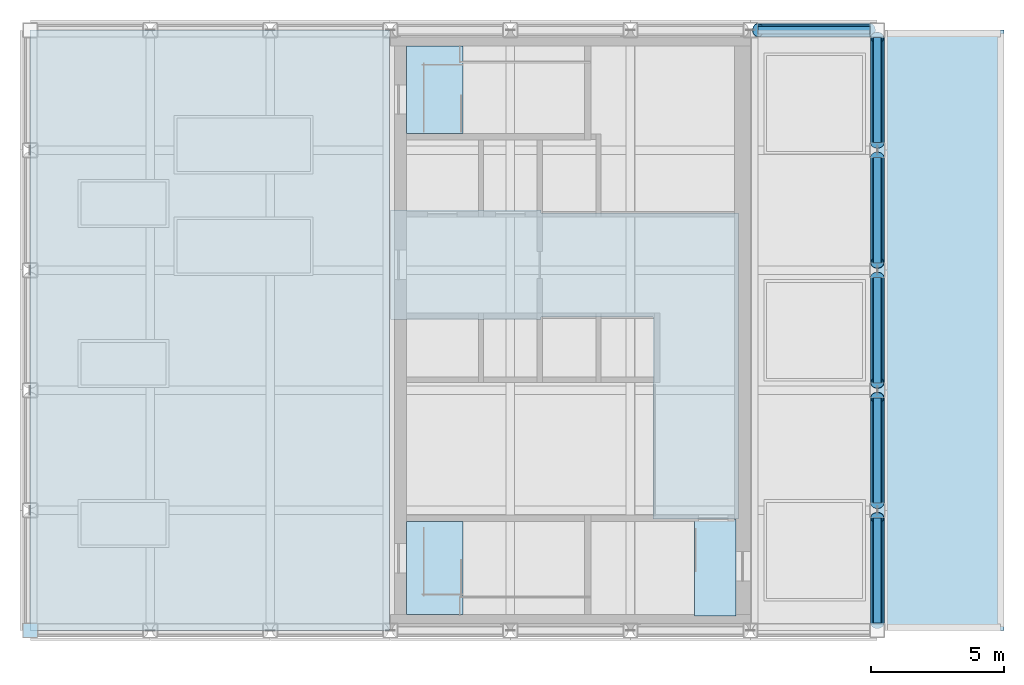
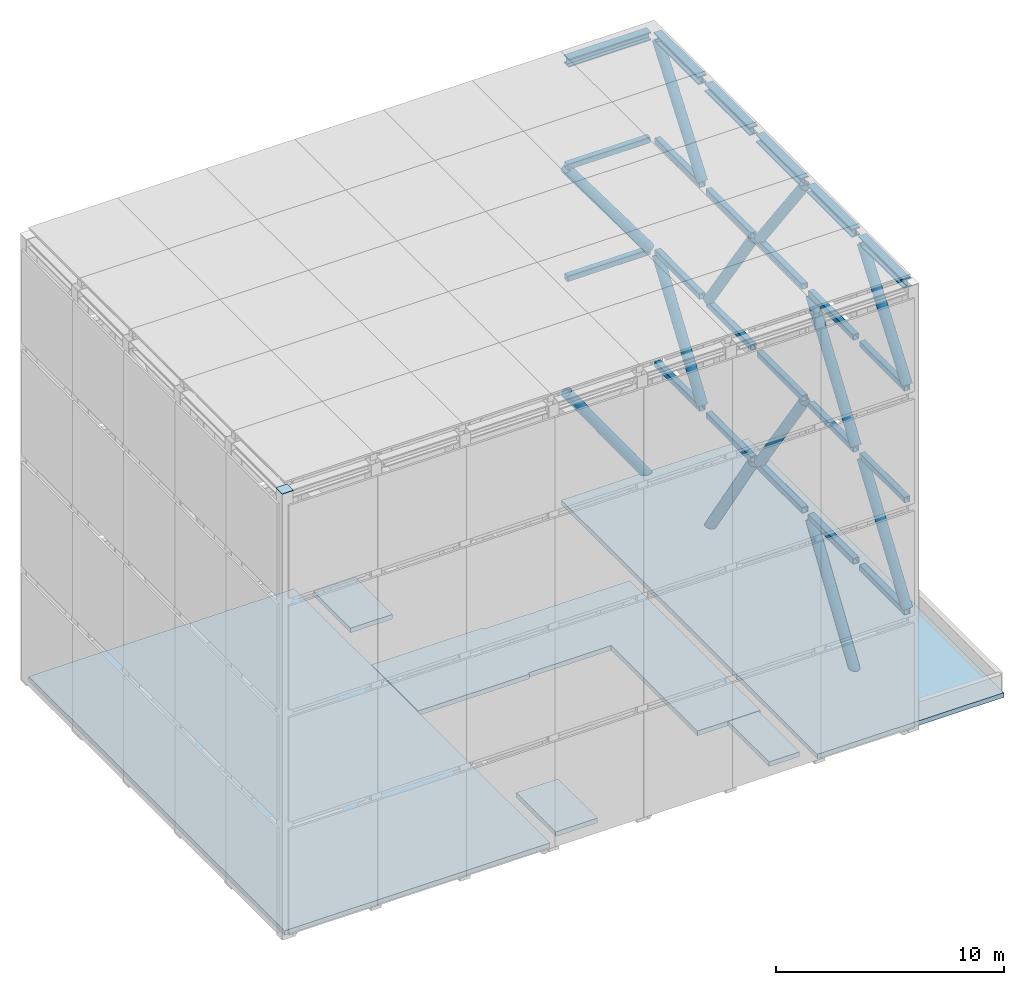
# One storey, part 2 of 11: 29 members, 6 beams, 6 slabs, 1 plate.
"""IFC4 building model written with IfcOpenShell, lengths in metres."""

from ifc_helpers import new_model, si_unit, direction, frame, origin, origin_2d, place, context, subcontext, project, spatial, polyline, rectangle, hollow_rectangle, hollow_circle, i_section, outline, extrude, material, layer, layer_set, material_profile, profile_set, type_object, element, save


model = new_model("IFC4")

# Units and contexts
model_context = context("Model", 3, precision=1e-05, world=origin(), true_north=direction((0.0, 1.0)))
body_context = subcontext(model_context, "Body", "Model", "MODEL_VIEW")
ifc_project = project(units=[si_unit("LENGTHUNIT", "METRE"), si_unit("AREAUNIT", "SQUARE_METRE"), si_unit("VOLUMEUNIT", "CUBIC_METRE"), si_unit("PLANEANGLEUNIT", "RADIAN"), si_unit("MASSUNIT", "GRAM", prefix="KILO")], contexts=[model_context])

# Site, building, storey
site_placement = place(None, origin())
site = spatial("IfcSite", under=ifc_project, at=site_placement, CompositionType="ELEMENT")
building_placement = place(site_placement, origin())
building = spatial("IfcBuilding", under=site, at=building_placement, Name="Sennacour Bend Tower", CompositionType="ELEMENT")
storey_placement = place(building_placement, frame((0.0, 0.0, 355.5)))
storey = spatial("IfcBuildingStorey", under=building, at=storey_placement, Name="RF", CompositionType="ELEMENT", Elevation=355.5)

# Members
ifc_material_1 = material(Name="Steel ASTM A500 Grade C", Category="steel")
ifc_material_profile_1 = material_profile(ifc_material_1, hollow_circle(Radius=0.25390625, WallThickness=0.0126953125, at=origin_2d()), Name="Steel ASTM A500 Grade C", Category="steel")
ifc_profile_set_1 = profile_set([ifc_material_profile_1], Name="Steel ASTM A500 Grade C")
member_type_1 = type_object("IfcMemberType", Name="CROWN FRAME brace 508", PredefinedType="BRACE", material=ifc_profile_set_1)
member_1_placement = place(storey_placement, frame((72.25, 0.279296875, 6.0), z_axis=(0.0, 0.569063333042, 0.822293696308), x_axis=(-1.0, 0.0, 0.0)))
element("IfcMember", 1, at=member_1_placement, inside=storey, type_object=member_type_1, Name="CROWN FRAME brace CB-015", PredefinedType="BRACE", context=body_context, shape_type="SweptSolid", body=[
    extrude(hollow_circle(Radius=0.25390625, WallThickness=0.0126953125, at=origin_2d()), origin(), (0.0, 0.0, 1.0), 6.926025390625),
])
member_2_placement = place(storey_placement, frame((72.25, 0.279296875, 18.0), z_axis=(0.0, 0.600952521831, 0.799284721801), x_axis=(-1.0, 0.0, 0.0)))
element("IfcMember", 2, at=member_2_placement, inside=storey, type_object=member_type_1, Name="CROWN FRAME brace CB-016", PredefinedType="BRACE", context=body_context, shape_type="SweptSolid", body=[
    extrude(hollow_circle(Radius=0.25390625, WallThickness=0.0126953125, at=origin_2d()), origin(), (0.0, 0.0, 1.0), 6.55859375),
])
member_3_placement = place(storey_placement, frame((72.25, 4.779296875, -0.25), z_axis=(0.0, 0.552549986341, 0.833479761359), x_axis=(-1.0, 0.0, 0.0)))
element("IfcMember", 3, at=member_3_placement, inside=storey, type_object=member_type_1, Name="CROWN FRAME brace CB-017", PredefinedType="BRACE", context=body_context, shape_type="SweptSolid", body=[
    extrude(hollow_circle(Radius=0.25390625, WallThickness=0.0126953125, at=origin_2d()), origin(), (0.0, 0.0, 1.0), 7.133056640625),
])
for number, where, z_axis, x_axis, name in (
    (4, (72.25, 4.779296875, 12.0), (0.0, 0.569063333042, 0.822293696308), (-1.0, 0.0, 0.0), "CROWN FRAME brace CB-018"),
    (5, (72.25, 9.279296875, 11.6953125), (0.0, 0.569063333042, -0.822293696308), (-1.0, 0.0, 0.0), "CROWN FRAME brace CB-019"),
):
    element("IfcMember", number, at=place(storey_placement, frame(where, z_axis=z_axis, x_axis=x_axis)), inside=storey, type_object=member_type_1, Name=name, PredefinedType="BRACE", context=body_context, shape_type="SweptSolid", body=[
        extrude(hollow_circle(Radius=0.25390625, WallThickness=0.0126953125, at=origin_2d()), origin(), (0.0, 0.0, 1.0), 6.926025390625),
    ])
member_4_placement = place(storey_placement, frame((72.25, 9.279296875, 23.2421875), z_axis=(0.0, 0.600952521831, -0.799284721801), x_axis=(-1.0, 0.0, 0.0)))
element("IfcMember", 6, at=member_4_placement, inside=storey, type_object=member_type_1, Name="CROWN FRAME brace CB-020", PredefinedType="BRACE", context=body_context, shape_type="SweptSolid", body=[
    extrude(hollow_circle(Radius=0.25390625, WallThickness=0.0126953125, at=origin_2d()), origin(), (0.0, 0.0, 1.0), 6.55859375),
])
member_5_placement = place(storey_placement, frame((72.25, 13.779296875, 5.6953125), z_axis=(0.0, 0.552549986341, -0.833479761359), x_axis=(-1.0, 0.0, 0.0)))
element("IfcMember", 7, at=member_5_placement, inside=storey, type_object=member_type_1, Name="CROWN FRAME brace CB-021", PredefinedType="BRACE", context=body_context, shape_type="SweptSolid", body=[
    extrude(hollow_circle(Radius=0.25390625, WallThickness=0.0126953125, at=origin_2d()), origin(), (0.0, 0.0, 1.0), 7.133056640625),
])
for number, where, z_axis, x_axis, name in (
    (8, (72.25, 13.779296875, 17.6953125), (0.0, 0.569063333042, -0.822293696308), (-1.0, 0.0, 0.0), "CROWN FRAME brace CB-022"),
    (9, (72.25, 18.279296875, 6.0), (0.0, 0.569063333042, 0.822293696308), (-1.0, 0.0, 0.0), "CROWN FRAME brace CB-023"),
):
    element("IfcMember", number, at=place(storey_placement, frame(where, z_axis=z_axis, x_axis=x_axis)), inside=storey, type_object=member_type_1, Name=name, PredefinedType="BRACE", context=body_context, shape_type="SweptSolid", body=[
        extrude(hollow_circle(Radius=0.25390625, WallThickness=0.0126953125, at=origin_2d()), origin(), (0.0, 0.0, 1.0), 6.926025390625),
    ])
member_6_placement = place(storey_placement, frame((72.25, 18.279296875, 18.0), z_axis=(0.0, 0.600952521831, 0.799284721801), x_axis=(-1.0, 0.0, 0.0)))
element("IfcMember", 10, at=member_6_placement, inside=storey, type_object=member_type_1, Name="CROWN FRAME brace CB-024", PredefinedType="BRACE", context=body_context, shape_type="SweptSolid", body=[
    extrude(hollow_circle(Radius=0.25390625, WallThickness=0.0126953125, at=origin_2d()), origin(), (0.0, 0.0, 1.0), 6.55859375),
])
member_7_placement = place(storey_placement, frame((71.970703125, 22.5, -0.25), z_axis=(-0.576198186144, 0.0, 0.817310008678), x_axis=(0.0, -1.0, 0.0)))
element("IfcMember", 11, at=member_7_placement, inside=storey, type_object=member_type_1, Name="CROWN FRAME brace CB-025", PredefinedType="BRACE", context=body_context, shape_type="SweptSolid", body=[
    extrude(hollow_circle(Radius=0.25390625, WallThickness=0.0126953125, at=origin_2d()), origin(), (0.0, 0.0, 1.0), 7.274169921875),
])
member_8_placement = place(storey_placement, frame((71.970703125, 22.5, 12.0), z_axis=(-0.592727857183, 0.0, 0.805402810598), x_axis=(0.0, -1.0, 0.0)))
element("IfcMember", 12, at=member_8_placement, inside=storey, type_object=member_type_1, Name="CROWN FRAME brace CB-026", PredefinedType="BRACE", context=body_context, shape_type="SweptSolid", body=[
    extrude(hollow_circle(Radius=0.25390625, WallThickness=0.0126953125, at=origin_2d()), origin(), (0.0, 0.0, 1.0), 7.0712890625),
])

# Beams
ifc_material_2 = material(Name="Steel ASTM A992 Grade 50", Category="steel")
ifc_material_profile_2 = material_profile(ifc_material_2, i_section(OverallWidth=0.410888671875, OverallDepth=0.43408203125, WebThickness=0.035888671875, FlangeThickness=0.057373046875, FilletRadius=0.01513671875, at=origin_2d()), Name="Steel ASTM A992 Grade 50", Category="steel")
ifc_profile_set_2 = profile_set([ifc_material_profile_2], Name="Steel ASTM A992 Grade 50")
beam_type = type_object("IfcBeamType", Name="CROWN FRAME ring beam W360X463", PredefinedType="BEAM", material=ifc_profile_set_2)
for number, where, z_axis, x_axis, name in (
    (13, (72.25, 0.279296875, 23.458984375), (0.0, 1.0, 0.0), (-1.0, 0.0, 0.0), "CROWN FRAME ring beam CR-008"),
    (14, (72.25, 4.779296875, 23.458984375), (0.0, 1.0, 0.0), (-1.0, 0.0, 0.0), "CROWN FRAME ring beam CR-009"),
    (15, (72.25, 9.279296875, 23.458984375), (0.0, 1.0, 0.0), (-1.0, 0.0, 0.0), "CROWN FRAME ring beam CR-010"),
    (16, (72.25, 13.779296875, 23.458984375), (0.0, 1.0, 0.0), (-1.0, 0.0, 0.0), "CROWN FRAME ring beam CR-011"),
    (17, (72.25, 18.279296875, 23.458984375), (0.0, 1.0, 0.0), (-1.0, 0.0, 0.0), "CROWN FRAME ring beam CR-012"),
):
    element("IfcBeam", number, at=place(storey_placement, frame(where, z_axis=z_axis, x_axis=x_axis)), inside=storey, type_object=beam_type, Name=name, PredefinedType="BEAM", context=body_context, shape_type="SweptSolid", body=[
        extrude(i_section(OverallWidth=0.410888671875, OverallDepth=0.43408203125, WebThickness=0.035888671875, FlangeThickness=0.057373046875, FilletRadius=0.01513671875, at=origin_2d()), origin(), (0.0, 0.0, 1.0), 3.94140625),
    ])
beam_placement = place(storey_placement, frame((71.970703125, 22.5, 23.458984375), z_axis=(-1.0, 0.0, 0.0), x_axis=(0.0, -1.0, 0.0)))
element("IfcBeam", 18, at=beam_placement, inside=storey, type_object=beam_type, Name="CROWN FRAME ring beam CR-013", PredefinedType="BEAM", context=body_context, shape_type="SweptSolid", body=[
    extrude(i_section(OverallWidth=0.410888671875, OverallDepth=0.43408203125, WebThickness=0.035888671875, FlangeThickness=0.057373046875, FilletRadius=0.01513671875, at=origin_2d()), origin(), (0.0, 0.0, 1.0), 4.19140625),
])

# Members
ifc_material_profile_3 = material_profile(ifc_material_1, hollow_rectangle(XDim=0.3046875, YDim=0.3046875, WallThickness=0.0126953125, InnerFilletRadius=0.0126953125, OuterFilletRadius=0.025390625, at=origin_2d()), Name="Steel ASTM A500 Grade C", Category="steel")
ifc_profile_set_3 = profile_set([ifc_material_profile_3], Name="Steel ASTM A500 Grade C")
member_type_2 = type_object("IfcMemberType", Name="CROWN FRAME tier ring 305", PredefinedType="MEMBER", material=ifc_profile_set_3)
for number, where, z_axis, x_axis, name in (
    (19, (72.25, 0.279296875, 5.84765625), (0.0, 1.0, 0.0), (-1.0, 0.0, 0.0), "CROWN FRAME tier ring CT-022"),
    (20, (72.25, 0.279296875, 11.84765625), (0.0, 1.0, 0.0), (-1.0, 0.0, 0.0), "CROWN FRAME tier ring CT-023"),
    (21, (72.25, 0.279296875, 17.84765625), (0.0, 1.0, 0.0), (-1.0, 0.0, 0.0), "CROWN FRAME tier ring CT-024"),
    (22, (72.25, 4.779296875, 5.84765625), (0.0, 1.0, 0.0), (-1.0, 0.0, 0.0), "CROWN FRAME tier ring CT-025"),
    (23, (72.25, 4.779296875, 11.84765625), (0.0, 1.0, 0.0), (-1.0, 0.0, 0.0), "CROWN FRAME tier ring CT-026"),
    (24, (72.25, 4.779296875, 17.84765625), (0.0, 1.0, 0.0), (-1.0, 0.0, 0.0), "CROWN FRAME tier ring CT-027"),
    (25, (72.25, 9.279296875, 5.84765625), (0.0, 1.0, 0.0), (-1.0, 0.0, 0.0), "CROWN FRAME tier ring CT-028"),
    (26, (72.25, 9.279296875, 11.84765625), (0.0, 1.0, 0.0), (-1.0, 0.0, 0.0), "CROWN FRAME tier ring CT-029"),
    (27, (72.25, 9.279296875, 17.84765625), (0.0, 1.0, 0.0), (-1.0, 0.0, 0.0), "CROWN FRAME tier ring CT-030"),
    (28, (72.25, 13.779296875, 5.84765625), (0.0, 1.0, 0.0), (-1.0, 0.0, 0.0), "CROWN FRAME tier ring CT-031"),
    (29, (72.25, 13.779296875, 11.84765625), (0.0, 1.0, 0.0), (-1.0, 0.0, 0.0), "CROWN FRAME tier ring CT-032"),
    (30, (72.25, 13.779296875, 17.84765625), (0.0, 1.0, 0.0), (-1.0, 0.0, 0.0), "CROWN FRAME tier ring CT-033"),
    (31, (72.25, 18.279296875, 5.84765625), (0.0, 1.0, 0.0), (-1.0, 0.0, 0.0), "CROWN FRAME tier ring CT-034"),
    (32, (72.25, 18.279296875, 11.84765625), (0.0, 1.0, 0.0), (-1.0, 0.0, 0.0), "CROWN FRAME tier ring CT-035"),
    (33, (72.25, 18.279296875, 17.84765625), (0.0, 1.0, 0.0), (-1.0, 0.0, 0.0), "CROWN FRAME tier ring CT-036"),
):
    element("IfcMember", number, at=place(storey_placement, frame(where, z_axis=z_axis, x_axis=x_axis)), inside=storey, type_object=member_type_2, Name=name, PredefinedType="MEMBER", context=body_context, shape_type="SweptSolid", body=[
        extrude(hollow_rectangle(XDim=0.3046875, YDim=0.3046875, WallThickness=0.0126953125, InnerFilletRadius=0.0126953125, OuterFilletRadius=0.025390625, at=origin_2d()), origin(), (0.0, 0.0, 1.0), 3.94140625),
    ])
for number, where, z_axis, x_axis, name in (
    (34, (71.970703125, 22.5, 11.84765625), (-1.0, 0.0, 0.0), (0.0, -1.0, 0.0), "CROWN FRAME tier ring CT-038"),
    (35, (71.970703125, 22.5, 17.84765625), (-1.0, 0.0, 0.0), (0.0, -1.0, 0.0), "CROWN FRAME tier ring CT-039"),
):
    element("IfcMember", number, at=place(storey_placement, frame(where, z_axis=z_axis, x_axis=x_axis)), inside=storey, type_object=member_type_2, Name=name, PredefinedType="MEMBER", context=body_context, shape_type="SweptSolid", body=[
        extrude(hollow_rectangle(XDim=0.3046875, YDim=0.3046875, WallThickness=0.0126953125, InnerFilletRadius=0.0126953125, OuterFilletRadius=0.025390625, at=origin_2d()), origin(), (0.0, 0.0, 1.0), 4.19140625),
    ])

# Plate
ifc_material_3 = material(Name="Steel ASTM A572 Grade 50", Category="steel")
ifc_layer_1 = layer(ifc_material_3, 0.02490234375, Name="Steel ASTM A572 Grade 50", Category="steel")
ifc_layer_set_1 = layer_set([ifc_layer_1], Name="Steel ASTM A572 Grade 50")
plate_type = type_object("IfcPlateType", Name="Crown post cap plate 25", PredefinedType="USERDEFINED", material=ifc_layer_set_1)
plate_placement = place(storey_placement, frame((40.5, 0.0, 23.67626953125), z_axis=(0.0, 0.0, 1.0), x_axis=(1.0, 0.0, 0.0)))
element("IfcPlate", 36, at=plate_placement, inside=storey, type_object=plate_type, Name="CROWN FRAME post cap plate CPC-001", ObjectType="END PLATE", PredefinedType="USERDEFINED", context=body_context, shape_type="SweptSolid", body=[
    extrude(rectangle(XDim=0.558837890625, YDim=0.558837890625, at=origin_2d()), origin(), (0.0, 0.0, 1.0), 0.02490234375),
])

# Slabs
ifc_material_4 = material(Name="Concrete C40/50", Category="concrete")
ifc_layer_2 = layer(ifc_material_4, 0.25, Name="Concrete C40/50", Category="concrete")
ifc_layer_set_2 = layer_set([ifc_layer_2], Name="Concrete C40/50")
slab_type_1 = type_object("IfcSlabType", Name="Head-house floor slab 250", PredefinedType="FLOOR", material=ifc_layer_set_2)
slab_1_placement = place(storey_placement, frame((0.0, 0.0, -0.25)))
element("IfcSlab", 37, at=slab_1_placement, inside=storey, type_object=slab_type_1, Name="P-SA1-RF-FLOOR", PredefinedType="FLOOR", context=body_context, shape_type="SweptSolid", body=[
    extrude(outline(polyline([(54.60009765625, 0.60009765625), (56.72998046875, 0.60009765625), (56.72998046875, 4.074951171875), (54.60009765625, 4.074951171875), (54.60009765625, 0.60009765625)])), origin(), (0.0, 0.0, 1.0), 0.25),
])
slab_2_placement = place(storey_placement, frame((0.0, 0.0, -0.25)))
element("IfcSlab", 38, at=slab_2_placement, inside=storey, type_object=slab_type_1, Name="P-SA2-RF-FLOOR", PredefinedType="FLOOR", context=body_context, shape_type="SweptSolid", body=[
    extrude(outline(polyline([(54.60009765625, 18.625), (56.72998046875, 18.625), (56.72998046875, 21.89990234375), (54.60009765625, 21.89990234375), (54.60009765625, 18.625)])), origin(), (0.0, 0.0, 1.0), 0.25),
])
slab_3_placement = place(storey_placement, frame((0.0, 0.0, -0.25)))
element("IfcSlab", 39, at=slab_3_placement, inside=storey, type_object=slab_type_1, Name="P-SA3-RF-FLOOR", PredefinedType="FLOOR", context=body_context, shape_type="SweptSolid", body=[
    extrude(outline(polyline([(65.39990234375, 0.550048828125), (66.949951171875, 0.550048828125), (66.949951171875, 4.14990234375), (65.39990234375, 4.14990234375), (65.39990234375, 0.550048828125)])), origin(), (0.0, 0.0, 1.0), 0.25),
])
slab_4_placement = place(storey_placement, frame((0.0, 0.0, -0.25)))
element("IfcSlab", 40, at=slab_4_placement, inside=storey, type_object=slab_type_1, Name="P-RF-A-lobby-ff-FLOOR", PredefinedType="FLOOR", context=body_context, shape_type="SweptSolid", body=[
    extrude(outline(polyline([(63.85009765625, 4.175048828125), (63.85009765625, 11.75), (59.64990234375, 11.75), (59.64990234375, 11.64990234375), (54.0, 11.64990234375), (54.0, 15.75), (59.64990234375, 15.75), (59.64990234375, 15.64990234375), (63.85009765625, 15.64990234375), (64.14990234375, 15.64990234375), (67.050048828125, 15.64990234375), (67.050048828125, 4.175048828125), (63.85009765625, 4.175048828125)])), origin(), (0.0, 0.0, 1.0), 0.25),
])
ifc_layer_3 = layer(ifc_material_4, 0.25, Name="Concrete C40/50", Category="concrete")
ifc_layer_set_3 = layer_set([ifc_layer_3], Name="Concrete C40/50")
slab_type_2 = type_object("IfcSlabType", Name="Roof slab 250", PredefinedType="ROOF", material=ifc_layer_set_3)
slab_5_placement = place(storey_placement, frame((0.0, 0.0, -0.25)))
element("IfcSlab", 41, at=slab_5_placement, inside=storey, type_object=slab_type_2, Name="Roof slab Lounge Roof", PredefinedType="ROOF", context=body_context, shape_type="SweptSolid", body=[
    extrude(outline(polyline([(40.5, 0.0), (40.5, 22.5), (53.969970703125, 22.5), (53.969970703125, 0.0), (40.5, 0.0)])), origin(), (0.0, 0.0, 1.0), 0.25),
])
slab_6_placement = place(storey_placement, frame((0.0, 0.0, -0.25)))
element("IfcSlab", 42, at=slab_6_placement, inside=storey, type_object=slab_type_2, Name="Roof slab Lounge Roof", PredefinedType="ROOF", context=body_context, shape_type="SweptSolid", body=[
    extrude(outline(polyline([(77.0, 22.5), (77.0, 0.0), (67.530029296875, 0.0), (67.530029296875, 22.5), (77.0, 22.5)])), origin(), (0.0, 0.0, 1.0), 0.25),
])

save(model, "model.ifc")
